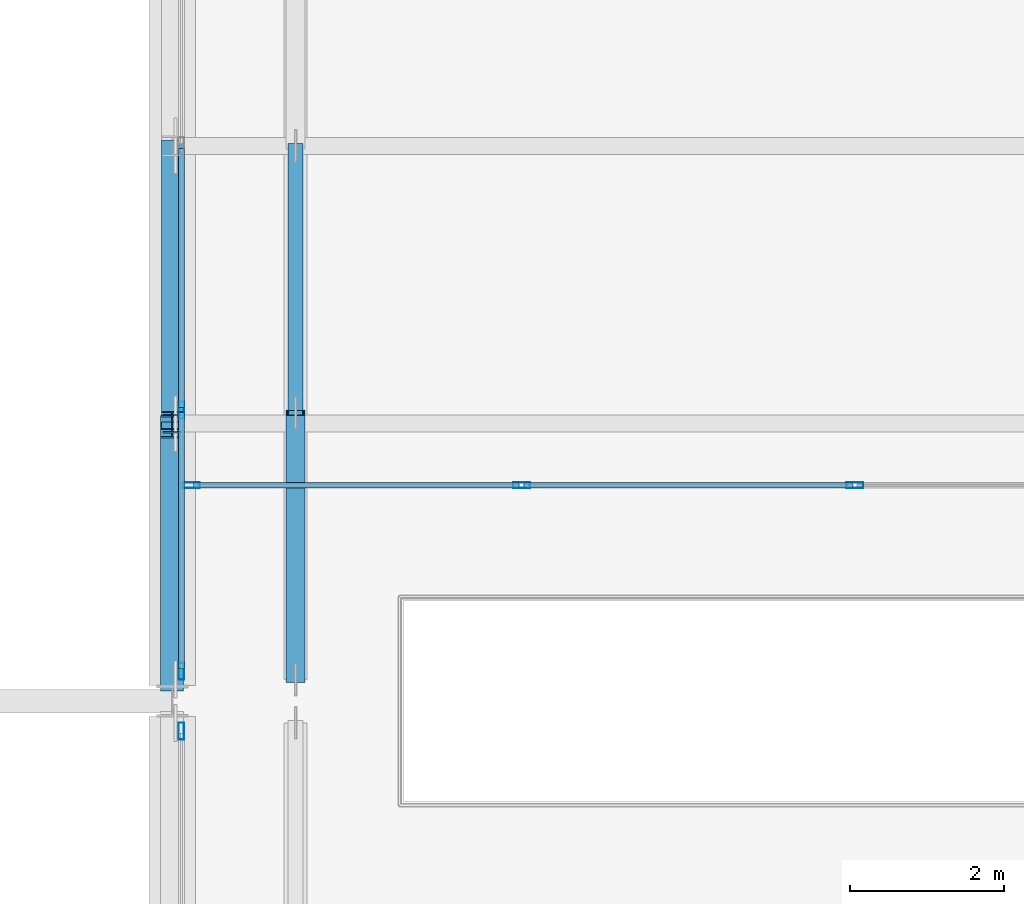
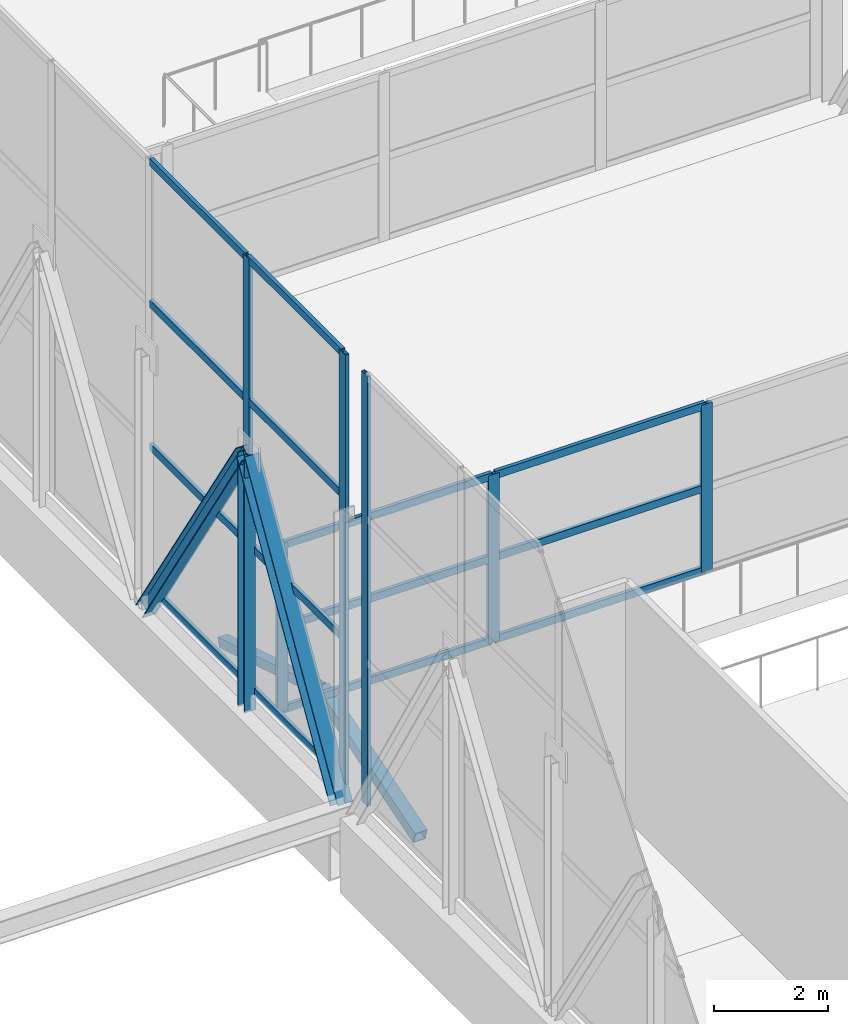
# One storey, part 73 of 191: 25 members, 3 elements without a shape of their own.
"""IFC4 building model written with IfcOpenShell, lengths in metres."""

from ifc_helpers import new_model, si_unit, direction, frame, origin, origin_2d, place, context, subcontext, project, spatial, hollow_rectangle, i_section, extrude, material, layer, layer_set, material_profile, profile_set, type_object, element, aggregate, save


model = new_model("IFC4")

# Units and contexts
model_context = context("Model", 3, precision=1e-05, world=origin(), true_north=direction((0.0, 1.0)))
body_context = subcontext(model_context, "Body", "Model", "MODEL_VIEW")
ifc_project = project(units=[si_unit("LENGTHUNIT", "METRE"), si_unit("AREAUNIT", "SQUARE_METRE"), si_unit("VOLUMEUNIT", "CUBIC_METRE"), si_unit("PLANEANGLEUNIT", "RADIAN"), si_unit("MASSUNIT", "GRAM", prefix="KILO")], contexts=[model_context])

# Site, building, storey
site_placement = place(None, origin())
site = spatial("IfcSite", under=ifc_project, at=site_placement, CompositionType="ELEMENT")
building_placement = place(site_placement, origin())
building = spatial("IfcBuilding", under=site, at=building_placement, Name="Tamarisk Ironworks Central Station", CompositionType="ELEMENT")
storey_placement = place(building_placement, frame((0.0, 0.0, 6.60009765625)))
storey = spatial("IfcBuildingStorey", under=building, at=storey_placement, Name="L01", CompositionType="ELEMENT", Elevation=6.60009765625)

# Curtain wall, member
ifc_material_1 = material(Name="Anodized aluminium alloy 6063-T6", Category="aluminium")
ifc_layer_1 = layer(ifc_material_1, 0.179931640625)
ifc_layer_set_1 = layer_set([ifc_layer_1], Name="Anodized aluminium alloy 6063-T6")
curtain_wall_type_1 = type_object("IfcCurtainWallType", Name="CW-06", PredefinedType="USERDEFINED", material=ifc_layer_set_1)
curtain_wall_1_placement = place(storey_placement, origin())
curtain_wall_1 = element("IfcCurtainWall", 1, at=curtain_wall_1_placement, inside=storey, type_object=curtain_wall_type_1, Name="Concourse W track-overlook curtain wall 04", ObjectType="GLAZED CURTAIN WALL", PredefinedType="USERDEFINED")
ifc_material_profile_1 = material_profile(ifc_material_1, hollow_rectangle(XDim=0.074951171875, YDim=0.219970703125, WallThickness=0.00390625, at=origin_2d()), Name="ALUM 220x75")
ifc_profile_set_1 = profile_set([ifc_material_profile_1], Name="Anodized aluminium alloy 6063-T6")
member_type_1 = type_object("IfcMemberType", Name="CWM-01", PredefinedType="MULLION", material=ifc_profile_set_1)
member_1_placement = place(storey_placement, frame((54.1201171875, 64.41259765625, 0.0), z_axis=(0.0, 0.0, 1.0), x_axis=(-1.0, 0.0, 0.0)))
member_1 = element("IfcMember", 2, at=member_1_placement, type_object=member_type_1, Name="CW06 mullion 5", PredefinedType="MULLION", context=body_context, shape_type="SweptSolid", body=[
    extrude(hollow_rectangle(XDim=0.074951171875, YDim=0.219970703125, WallThickness=0.00390625, at=origin_2d()), origin(), (0.0, 0.0, 1.0), 9.219970703125),
])
aggregate(curtain_wall_1, [member_1])

# Curtain wall, members
curtain_wall_2_placement = place(storey_placement, origin())
curtain_wall_2 = element("IfcCurtainWall", 3, at=curtain_wall_2_placement, inside=storey, type_object=curtain_wall_type_1, Name="Concourse W track-overlook curtain wall 05", ObjectType="GLAZED CURTAIN WALL", PredefinedType="USERDEFINED")
member_2_placement = place(storey_placement, frame((54.1201171875, 65.1875, 0.0), z_axis=(0.0, 0.0, 1.0), x_axis=(-1.0, 0.0, 0.0)))
member_2 = element("IfcMember", 4, at=member_2_placement, type_object=member_type_1, Name="CW06 mullion 1", PredefinedType="MULLION", context=body_context, shape_type="SweptSolid", body=[
    extrude(hollow_rectangle(XDim=0.074951171875, YDim=0.219970703125, WallThickness=0.00390625, at=origin_2d()), origin(), (0.0, 0.0, 1.0), 9.219970703125),
])
member_3_placement = place(storey_placement, frame((54.1201171875, 68.574951171875, 0.0), z_axis=(0.0, 0.0, 1.0), x_axis=(-1.0, 0.0, 0.0)))
member_3 = element("IfcMember", 5, at=member_3_placement, type_object=member_type_1, Name="CW06 mullion 2", PredefinedType="MULLION", context=body_context, shape_type="SweptSolid", body=[
    extrude(hollow_rectangle(XDim=0.074951171875, YDim=0.219970703125, WallThickness=0.00390625, at=origin_2d()), origin(), (0.0, 0.0, 1.0), 9.219970703125),
])

ifc_layer_2 = layer(ifc_material_1, 0.179931640625)
ifc_layer_set_2 = layer_set([ifc_layer_2], Name="Anodized aluminium alloy 6063-T6")
curtain_wall_type_2 = type_object("IfcCurtainWallType", Name="CW-24", PredefinedType="USERDEFINED", material=ifc_layer_set_2)
curtain_wall_3_placement = place(storey_placement, origin())
curtain_wall_3 = element("IfcCurtainWall", 6, at=curtain_wall_3_placement, inside=storey, type_object=curtain_wall_type_2, Name="North bridge trackside west glazed screen", ObjectType="GLAZED CURTAIN WALL", PredefinedType="USERDEFINED")
member_4_placement = place(storey_placement, frame((54.24560546875, 67.60009765625, 0.0), z_axis=(0.0, 0.0, 1.0), x_axis=(0.0, 1.0, 0.0)))
member_4 = element("IfcMember", 7, at=member_4_placement, type_object=member_type_1, Name="CW24 mullion 1", PredefinedType="MULLION", context=body_context, shape_type="SweptSolid", body=[
    extrude(hollow_rectangle(XDim=0.074951171875, YDim=0.219970703125, WallThickness=0.00390625, at=origin_2d()), origin(), (0.0, 0.0, 1.0), 3.599853515625),
])
member_5_placement = place(storey_placement, frame((58.531005859375, 67.60009765625, 0.0), z_axis=(0.0, 0.0, 1.0), x_axis=(0.0, 1.0, 0.0)))
member_5 = element("IfcMember", 8, at=member_5_placement, type_object=member_type_1, Name="CW24 mullion 2", PredefinedType="MULLION", context=body_context, shape_type="SweptSolid", body=[
    extrude(hollow_rectangle(XDim=0.074951171875, YDim=0.219970703125, WallThickness=0.00390625, at=origin_2d()), origin(), (0.0, 0.0, 1.0), 3.599853515625),
])
member_6_placement = place(storey_placement, frame((62.85400390625, 67.60009765625, 0.0), z_axis=(0.0, 0.0, 1.0), x_axis=(0.0, 1.0, 0.0)))
member_6 = element("IfcMember", 9, at=member_6_placement, type_object=member_type_1, Name="CW24 mullion 3", PredefinedType="MULLION", context=body_context, shape_type="SweptSolid", body=[
    extrude(hollow_rectangle(XDim=0.074951171875, YDim=0.219970703125, WallThickness=0.00390625, at=origin_2d()), origin(), (0.0, 0.0, 1.0), 3.599853515625),
])

# Member
ifc_material_profile_2 = material_profile(ifc_material_1, hollow_rectangle(XDim=0.074951171875, YDim=0.159912109375, WallThickness=0.00390625, at=origin_2d()), Name="ALUM 160x75")
ifc_profile_set_2 = profile_set([ifc_material_profile_2], Name="Anodized aluminium alloy 6063-T6")
member_type_2 = type_object("IfcMemberType", Name="CWT-01", PredefinedType="USERDEFINED", material=ifc_profile_set_2)
member_7_placement = place(storey_placement, frame((54.1201171875, 65.220947265625, 0.037353515625), z_axis=(0.0, 1.0, 0.0), x_axis=(-1.0, 0.0, 0.0)))
member_7 = element("IfcMember", 10, at=member_7_placement, type_object=member_type_2, Name="CW06 transom 1.1", ObjectType="TRANSOM", PredefinedType="USERDEFINED", context=body_context, shape_type="SweptSolid", body=[
    extrude(hollow_rectangle(XDim=0.074951171875, YDim=0.159912109375, WallThickness=0.00390625, at=origin_2d()), origin(), (0.0, 0.0, 1.0), 3.320556640625),
])

member_8_placement = place(storey_placement, frame((54.1201171875, 65.220947265625, 3.0732421875), z_axis=(0.0, 1.0, 0.0), x_axis=(-1.0, 0.0, 0.0)))
member_8 = element("IfcMember", 11, at=member_8_placement, type_object=member_type_2, Name="CW06 transom 1.2", ObjectType="TRANSOM", PredefinedType="USERDEFINED", context=body_context, shape_type="SweptSolid", body=[
    extrude(hollow_rectangle(XDim=0.074951171875, YDim=0.159912109375, WallThickness=0.00390625, at=origin_2d()), origin(), (0.0, 0.0, 1.0), 3.320556640625),
])

member_9_placement = place(storey_placement, frame((54.1201171875, 65.220947265625, 6.146484375), z_axis=(0.0, 1.0, 0.0), x_axis=(-1.0, 0.0, 0.0)))
member_9 = element("IfcMember", 12, at=member_9_placement, type_object=member_type_2, Name="CW06 transom 1.3", ObjectType="TRANSOM", PredefinedType="USERDEFINED", context=body_context, shape_type="SweptSolid", body=[
    extrude(hollow_rectangle(XDim=0.074951171875, YDim=0.159912109375, WallThickness=0.00390625, at=origin_2d()), origin(), (0.0, 0.0, 1.0), 3.320556640625),
])

member_10_placement = place(storey_placement, frame((54.1201171875, 65.220947265625, 9.182373046875), z_axis=(0.0, 1.0, 0.0), x_axis=(-1.0, 0.0, 0.0)))
member_10 = element("IfcMember", 13, at=member_10_placement, type_object=member_type_2, Name="CW06 transom 1.4", ObjectType="TRANSOM", PredefinedType="USERDEFINED", context=body_context, shape_type="SweptSolid", body=[
    extrude(hollow_rectangle(XDim=0.074951171875, YDim=0.159912109375, WallThickness=0.00390625, at=origin_2d()), origin(), (0.0, 0.0, 1.0), 3.320556640625),
])

member_11_placement = place(storey_placement, frame((54.1201171875, 68.6083984375, 0.037353515625), z_axis=(0.0, 1.0, 0.0), x_axis=(-1.0, 0.0, 0.0)))
member_11 = element("IfcMember", 14, at=member_11_placement, type_object=member_type_2, Name="CW06 transom 2.1", ObjectType="TRANSOM", PredefinedType="USERDEFINED", context=body_context, shape_type="SweptSolid", body=[
    extrude(hollow_rectangle(XDim=0.074951171875, YDim=0.159912109375, WallThickness=0.00390625, at=origin_2d()), origin(), (0.0, 0.0, 1.0), 3.358154296875),
])

member_12_placement = place(storey_placement, frame((54.1201171875, 68.6083984375, 3.0732421875), z_axis=(0.0, 1.0, 0.0), x_axis=(-1.0, 0.0, 0.0)))
member_12 = element("IfcMember", 15, at=member_12_placement, type_object=member_type_2, Name="CW06 transom 2.2", ObjectType="TRANSOM", PredefinedType="USERDEFINED", context=body_context, shape_type="SweptSolid", body=[
    extrude(hollow_rectangle(XDim=0.074951171875, YDim=0.159912109375, WallThickness=0.00390625, at=origin_2d()), origin(), (0.0, 0.0, 1.0), 3.358154296875),
])

member_13_placement = place(storey_placement, frame((54.1201171875, 68.6083984375, 6.146484375), z_axis=(0.0, 1.0, 0.0), x_axis=(-1.0, 0.0, 0.0)))
member_13 = element("IfcMember", 16, at=member_13_placement, type_object=member_type_2, Name="CW06 transom 2.3", ObjectType="TRANSOM", PredefinedType="USERDEFINED", context=body_context, shape_type="SweptSolid", body=[
    extrude(hollow_rectangle(XDim=0.074951171875, YDim=0.159912109375, WallThickness=0.00390625, at=origin_2d()), origin(), (0.0, 0.0, 1.0), 3.358154296875),
])

member_14_placement = place(storey_placement, frame((54.1201171875, 68.6083984375, 9.182373046875), z_axis=(0.0, 1.0, 0.0), x_axis=(-1.0, 0.0, 0.0)))
member_14 = element("IfcMember", 17, at=member_14_placement, type_object=member_type_2, Name="CW06 transom 2.4", ObjectType="TRANSOM", PredefinedType="USERDEFINED", context=body_context, shape_type="SweptSolid", body=[
    extrude(hollow_rectangle(XDim=0.074951171875, YDim=0.159912109375, WallThickness=0.00390625, at=origin_2d()), origin(), (0.0, 0.0, 1.0), 3.358154296875),
])

aggregate(curtain_wall_2, [member_2, member_3, member_7, member_8, member_9, member_10, member_11, member_12, member_13, member_14])

member_15_placement = place(storey_placement, frame((54.279052734375, 67.60009765625, 0.037353515625), z_axis=(1.0, 0.0, 0.0), x_axis=(0.0, 1.0, 0.0)))
member_15 = element("IfcMember", 18, at=member_15_placement, type_object=member_type_2, Name="CW24 transom 1.1", ObjectType="TRANSOM", PredefinedType="USERDEFINED", context=body_context, shape_type="SweptSolid", body=[
    extrude(hollow_rectangle(XDim=0.074951171875, YDim=0.159912109375, WallThickness=0.00390625, at=origin_2d()), origin(), (0.0, 0.0, 1.0), 4.218505859375),
])

member_16_placement = place(storey_placement, frame((54.279052734375, 67.60009765625, 1.7998046875), z_axis=(1.0, 0.0, 0.0), x_axis=(0.0, 1.0, 0.0)))
member_16 = element("IfcMember", 19, at=member_16_placement, type_object=member_type_2, Name="CW24 transom 1.2", ObjectType="TRANSOM", PredefinedType="USERDEFINED", context=body_context, shape_type="SweptSolid", body=[
    extrude(hollow_rectangle(XDim=0.074951171875, YDim=0.159912109375, WallThickness=0.00390625, at=origin_2d()), origin(), (0.0, 0.0, 1.0), 4.218505859375),
])

member_17_placement = place(storey_placement, frame((54.279052734375, 67.60009765625, 3.5625), z_axis=(1.0, 0.0, 0.0), x_axis=(0.0, 1.0, 0.0)))
member_17 = element("IfcMember", 20, at=member_17_placement, type_object=member_type_2, Name="CW24 transom 1.3", ObjectType="TRANSOM", PredefinedType="USERDEFINED", context=body_context, shape_type="SweptSolid", body=[
    extrude(hollow_rectangle(XDim=0.074951171875, YDim=0.159912109375, WallThickness=0.00390625, at=origin_2d()), origin(), (0.0, 0.0, 1.0), 4.218505859375),
])

member_18_placement = place(storey_placement, frame((58.564453125, 67.60009765625, 0.037353515625), z_axis=(1.0, 0.0, 0.0), x_axis=(0.0, 1.0, 0.0)))
member_18 = element("IfcMember", 21, at=member_18_placement, type_object=member_type_2, Name="CW24 transom 2.1", ObjectType="TRANSOM", PredefinedType="USERDEFINED", context=body_context, shape_type="SweptSolid", body=[
    extrude(hollow_rectangle(XDim=0.074951171875, YDim=0.159912109375, WallThickness=0.00390625, at=origin_2d()), origin(), (0.0, 0.0, 1.0), 4.256103515625),
])

member_19_placement = place(storey_placement, frame((58.564453125, 67.60009765625, 1.7998046875), z_axis=(1.0, 0.0, 0.0), x_axis=(0.0, 1.0, 0.0)))
member_19 = element("IfcMember", 22, at=member_19_placement, type_object=member_type_2, Name="CW24 transom 2.2", ObjectType="TRANSOM", PredefinedType="USERDEFINED", context=body_context, shape_type="SweptSolid", body=[
    extrude(hollow_rectangle(XDim=0.074951171875, YDim=0.159912109375, WallThickness=0.00390625, at=origin_2d()), origin(), (0.0, 0.0, 1.0), 4.256103515625),
])

member_20_placement = place(storey_placement, frame((58.564453125, 67.60009765625, 3.5625), z_axis=(1.0, 0.0, 0.0), x_axis=(0.0, 1.0, 0.0)))
member_20 = element("IfcMember", 23, at=member_20_placement, type_object=member_type_2, Name="CW24 transom 2.3", ObjectType="TRANSOM", PredefinedType="USERDEFINED", context=body_context, shape_type="SweptSolid", body=[
    extrude(hollow_rectangle(XDim=0.074951171875, YDim=0.159912109375, WallThickness=0.00390625, at=origin_2d()), origin(), (0.0, 0.0, 1.0), 4.256103515625),
])

aggregate(curtain_wall_3, [member_4, member_5, member_6, member_15, member_16, member_17, member_18, member_19, member_20])

# Members
ifc_material_2 = material(Name="Structural steel S355J2H", Category="steel")
ifc_material_profile_3 = material_profile(ifc_material_2, hollow_rectangle(XDim=0.25, YDim=0.25, WallThickness=0.012451171875, at=origin_2d()), Name="SHS 250x250x12.5")
ifc_profile_set_3 = profile_set([ifc_material_profile_3], Name="Structural steel S355J2H")
member_type_3 = type_object("IfcMemberType", Name="MB-BR01", PredefinedType="BRACE", material=ifc_profile_set_3)
member_21_placement = place(storey_placement, frame((55.60009765625, 65.080078125, -1.64013671875), z_axis=(0.0, 0.956131332595, 0.292938346467), x_axis=(-1.0, 0.0, 0.0)))
element("IfcMember", 24, at=member_21_placement, inside=storey, type_object=member_type_3, Name="Bridge deck stiffening web brace 133", PredefinedType="BRACE", context=body_context, shape_type="SweptSolid", body=[
    extrude(hollow_rectangle(XDim=0.25, YDim=0.25, WallThickness=0.012451171875, at=origin_2d()), origin(), (0.0, 0.0, 1.0), 3.61865234375),
])
ifc_material_profile_4 = material_profile(ifc_material_2, hollow_rectangle(XDim=0.199951171875, YDim=0.199951171875, WallThickness=0.010009765625, at=origin_2d()), Name="SHS 200x200x10")
ifc_profile_set_4 = profile_set([ifc_material_profile_4], Name="Structural steel S355J2H")
member_type_4 = type_object("IfcMemberType", Name="MB-BR02", PredefinedType="BRACE", material=ifc_profile_set_4)
member_22_placement = place(storey_placement, frame((55.60009765625, 68.5400390625, -0.580078125), z_axis=(0.0, 0.956131332595, -0.292938346467), x_axis=(-1.0, 0.0, 0.0)))
element("IfcMember", 25, at=member_22_placement, inside=storey, type_object=member_type_4, Name="Bridge deck stiffening web brace 134", PredefinedType="BRACE", context=body_context, shape_type="SweptSolid", body=[
    extrude(hollow_rectangle(XDim=0.199951171875, YDim=0.199951171875, WallThickness=0.010009765625, at=origin_2d()), origin(), (0.0, 0.0, 1.0), 3.61865234375),
])
ifc_material_3 = material(Name="Structural steel S355J2", Category="steel")
ifc_material_profile_5 = material_profile(ifc_material_3, i_section(OverallWidth=0.300048828125, OverallDepth=0.340087890625, WebThickness=0.011962890625, FlangeThickness=0.021484375, at=origin_2d()), Name="HEB 340")
ifc_profile_set_5 = profile_set([ifc_material_profile_5], Name="Structural steel S355J2")
member_type_5 = type_object("IfcMemberType", Name="MB-TTD01", PredefinedType="BRACE", material=ifc_profile_set_5)
member_23_placement = place(storey_placement, frame((54.0, 65.080078125, -0.380126953125), z_axis=(0.0, 0.512200847378, 0.858865700762), x_axis=(-1.0, 0.0, 0.0)))
element("IfcMember", 26, at=member_23_placement, inside=storey, type_object=member_type_5, Name="Transfer truss diagonal 022", PredefinedType="BRACE", context=body_context, shape_type="SweptSolid", body=[
    extrude(i_section(OverallWidth=0.300048828125, OverallDepth=0.340087890625, WebThickness=0.011962890625, FlangeThickness=0.021484375, at=origin_2d()), origin(), (0.0, 0.0, 1.0), 6.40380859375),
])
ifc_material_profile_6 = material_profile(ifc_material_3, i_section(OverallWidth=0.280029296875, OverallDepth=0.280029296875, WebThickness=0.010498046875, FlangeThickness=0.01806640625, at=origin_2d()), Name="HEB 280")
ifc_profile_set_6 = profile_set([ifc_material_profile_6], Name="Structural steel S355J2")
member_type_6 = type_object("IfcMemberType", Name="MB-TTD02", PredefinedType="BRACE", material=ifc_profile_set_6)
member_24_placement = place(storey_placement, frame((54.0, 68.43994140625, 5.119873046875), z_axis=(0.0, 0.539055818311, -0.842270042649), x_axis=(-1.0, 0.0, 0.0)))
element("IfcMember", 27, at=member_24_placement, inside=storey, type_object=member_type_6, Name="Transfer truss diagonal 023", PredefinedType="BRACE", context=body_context, shape_type="SweptSolid", body=[
    extrude(i_section(OverallWidth=0.280029296875, OverallDepth=0.280029296875, WebThickness=0.010498046875, FlangeThickness=0.01806640625, at=origin_2d()), origin(), (0.0, 0.0, 1.0), 6.530029296875),
])
ifc_material_profile_7 = material_profile(ifc_material_3, i_section(OverallWidth=0.239990234375, OverallDepth=0.239990234375, WebThickness=0.010009765625, FlangeThickness=0.01708984375, at=origin_2d()), Name="HEB 240")
ifc_profile_set_7 = profile_set([ifc_material_profile_7], Name="Structural steel S355J2")
member_type_7 = type_object("IfcMemberType", Name="MB-TTP02", PredefinedType="POST", material=ifc_profile_set_7)
member_25_placement = place(storey_placement, frame((54.0, 68.39990234375, -0.340087890625), z_axis=(0.0, 0.0, 1.0), x_axis=(1.0, 0.0, 0.0)))
element("IfcMember", 28, at=member_25_placement, inside=storey, type_object=member_type_7, Name="Transfer truss vertical post 024", PredefinedType="POST", context=body_context, shape_type="SweptSolid", body=[
    extrude(i_section(OverallWidth=0.239990234375, OverallDepth=0.239990234375, WebThickness=0.010009765625, FlangeThickness=0.01708984375, at=origin_2d()), origin(), (0.0, 0.0, 1.0), 5.4599609375),
])

save(model, "model.ifc")
